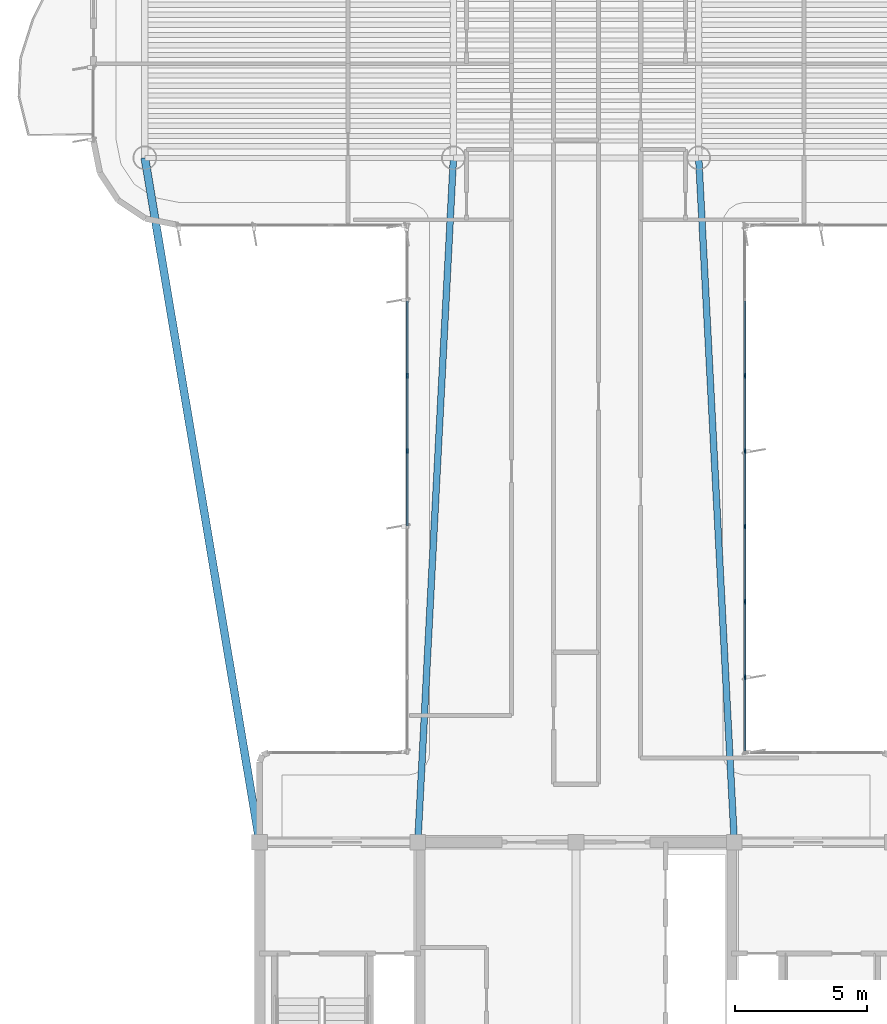
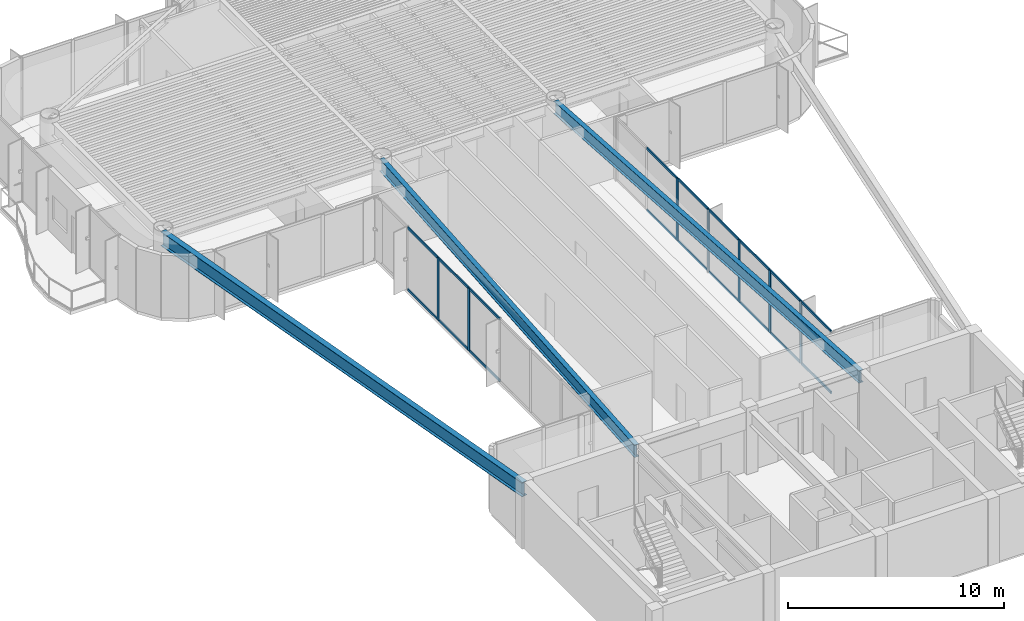
# One storey, part 3 of 16: 25 members, 3 beams, 2 elements without a shape of their own.
"""IFC4 building model written with IfcOpenShell, lengths in metres."""

from ifc_helpers import new_model, si_unit, direction, frame, origin, origin_2d, place, context, subcontext, project, spatial, rectangle, i_section, extrude, source, transform, mapped, material, layer, layer_set, material_profile, profile_set, type_object, element, aggregate, save


model = new_model("IFC4")

# Units and contexts
model_context = context("Model", 3, precision=1e-05, world=origin(), true_north=direction((0.0, 1.0)))
body_context = subcontext(model_context, "Body", "Model", "MODEL_VIEW")
ifc_project = project(units=[si_unit("LENGTHUNIT", "METRE"), si_unit("AREAUNIT", "SQUARE_METRE"), si_unit("VOLUMEUNIT", "CUBIC_METRE"), si_unit("PLANEANGLEUNIT", "RADIAN"), si_unit("MASSUNIT", "GRAM", prefix="KILO")], contexts=[model_context])

# Site, building, storey
site_placement = place(None, origin())
site = spatial("IfcSite", under=ifc_project, at=site_placement, CompositionType="ELEMENT")
building_placement = place(site_placement, origin())
building = spatial("IfcBuilding", under=site, at=building_placement, Name="Brelvock Crest Care Tower", CompositionType="ELEMENT")
storey_placement = place(building_placement, frame((0.0, 0.0, 234.360107421875)))
storey = spatial("IfcBuildingStorey", under=building, at=storey_placement, Name="L59", CompositionType="ELEMENT", Elevation=234.360107421875)

# Beams
ifc_material_1 = material(Name="Steel Grade 350", Category="steel")
ifc_material_profile_1 = material_profile(ifc_material_1, i_section(OverallWidth=0.25, OverallDepth=0.699951171875, WebThickness=0.011962890625, FlangeThickness=0.02001953125, at=origin_2d()), Name="700WB150")
ifc_profile_set_1 = profile_set([ifc_material_profile_1], Name="Steel Grade 350")
beam_type_1 = type_object("IfcBeamType", Name="BM-G4", PredefinedType="BEAM", material=ifc_profile_set_1)
shared_shape_1 = source(origin(), body_context, "Body", "SweptSolid", [
    extrude(i_section(OverallWidth=0.25, OverallDepth=0.699951171875, WebThickness=0.011962890625, FlangeThickness=0.02001953125, at=origin_2d()), origin(), (0.0, 0.0, 1.0), 25.985107421875),
])
for number, where, z_axis, x_axis, name in (
    (1, (30.0, 18.0, 3.179931640625), (0.051956711656, 0.998649337913, 0.0), (-0.998649337913, 0.051956711656, 0.0), "BM-THRW-L59"),
    (2, (42.0, 18.0, 3.179931640625), (-0.051956711656, 0.998649337913, 0.0), (-0.998649337913, -0.051956711656, 0.0), "BM-THRE-L59"),
):
    element("IfcBeam", number, at=place(storey_placement, frame(where, z_axis=z_axis, x_axis=x_axis)), inside=storey, type_object=beam_type_1, Name=name, PredefinedType="BEAM", context=body_context, shape_type="MappedRepresentation", body=[
        mapped(shared_shape_1, transform((0.0, 0.0, 0.0), x_axis=(1.0, 0.0, 0.0), y_axis=(0.0, 1.0, 0.0), z_axis=(0.0, 0.0, 1.0), scale=1.0)),
    ])
ifc_material_profile_2 = material_profile(ifc_material_1, i_section(OverallWidth=0.300048828125, OverallDepth=0.800048828125, WebThickness=0.013916015625, FlangeThickness=0.02197265625, at=origin_2d()), Name="800WB192")
ifc_profile_set_2 = profile_set([ifc_material_profile_2], Name="Steel Grade 350")
beam_type_2 = type_object("IfcBeamType", Name="BM-G5", PredefinedType="BEAM", material=ifc_profile_set_2)
shared_shape_2 = source(origin(), body_context, "Body", "SweptSolid", [
    extrude(i_section(OverallWidth=0.300048828125, OverallDepth=0.800048828125, WebThickness=0.013916015625, FlangeThickness=0.02197265625, at=origin_2d()), origin(), (0.0, 0.0, 1.0), 26.31201171875),
])
beam_placement = place(storey_placement, frame((24.0, 18.0, 3.1298828125), z_axis=(-0.165327282709, 0.986238758918, 0.0), x_axis=(-0.986238758918, -0.165327282709, 0.0)))
element("IfcBeam", 3, at=beam_placement, inside=storey, type_object=beam_type_2, Name="BM-THRO-W-L59", PredefinedType="BEAM", context=body_context, shape_type="MappedRepresentation", body=[
    mapped(shared_shape_2, transform((0.0, 0.0, 0.0), x_axis=(1.0, 0.0, 0.0), y_axis=(0.0, 1.0, 0.0), z_axis=(0.0, 0.0, 1.0), scale=1.0)),
])

# Curtain wall, members
ifc_material_2 = material(Name="Dark Glass Double Glazed Low-E", Category="glass")
ifc_layer = layer(ifc_material_2, 0.239990234375, Name="CWS-5")
ifc_layer_set = layer_set([ifc_layer], Name="Dark Glass Double Glazed Low-E")
curtain_wall_type = type_object("IfcCurtainWallType", Name="CWS-5", PredefinedType="NOTDEFINED", material=ifc_layer_set)
curtain_wall_1_placement = place(storey_placement, origin())
curtain_wall_1 = element("IfcCurtainWall", 4, at=curtain_wall_1_placement, inside=storey, type_object=curtain_wall_type, Name="L59 Curtain Wall E11", PredefinedType="NOTDEFINED")
ifc_material_3 = material(Name="Aluminium 6063-T6", Category="aluminium")
ifc_material_profile_3 = material_profile(ifc_material_3, rectangle(XDim=0.06005859375, YDim=0.179931640625, at=origin_2d()), Name="ALU60x180")
ifc_profile_set_3 = profile_set([ifc_material_profile_3], Name="Aluminium 6063-T6")
member_type_1 = type_object("IfcMemberType", Name="CWM-2", PredefinedType="MULLION", material=ifc_profile_set_3)
shared_shape_3 = source(origin(), body_context, "Body", "SweptSolid", [
    extrude(rectangle(XDim=0.06005859375, YDim=0.179931640625, at=origin_2d()), origin(), (0.0, 0.0, 1.0), 3.52978515625),
])
member_1_placement = place(storey_placement, frame((29.60009765625, 32.82861328125, 0.0), z_axis=(0.0, 0.0, 1.0), x_axis=(-1.0, 0.0, 0.0)))
member_1 = element("IfcMember", 5, at=member_1_placement, type_object=member_type_1, Name="CW-5 mullion 5", PredefinedType="MULLION", context=body_context, shape_type="MappedRepresentation", body=[
    mapped(shared_shape_3, transform((0.0, 0.0, 0.0), x_axis=(1.0, 0.0, 0.0), y_axis=(0.0, 1.0, 0.0), z_axis=(0.0, 0.0, 1.0), scale=1.0)),
])
member_2_placement = place(storey_placement, frame((29.60009765625, 35.685791015625, 0.0), z_axis=(0.0, 0.0, 1.0), x_axis=(-1.0, 0.0, 0.0)))
member_2 = element("IfcMember", 6, at=member_2_placement, type_object=member_type_1, Name="CW-5 mullion 6", PredefinedType="MULLION", context=body_context, shape_type="MappedRepresentation", body=[
    mapped(shared_shape_3, transform((0.0, 0.0, 0.0), x_axis=(1.0, 0.0, 0.0), y_axis=(0.0, 1.0, 0.0), z_axis=(0.0, 0.0, 1.0), scale=1.0)),
])

curtain_wall_2_placement = place(storey_placement, origin())
curtain_wall_2 = element("IfcCurtainWall", 7, at=curtain_wall_2_placement, inside=storey, type_object=curtain_wall_type, Name="L59 Curtain Wall E45", PredefinedType="NOTDEFINED")
member_3_placement = place(storey_placement, frame((42.39990234375, 35.685791015625, 0.0), z_axis=(0.0, 0.0, 1.0), x_axis=(1.0, 0.0, 0.0)))
member_3 = element("IfcMember", 8, at=member_3_placement, type_object=member_type_1, Name="CW-5 mullion 3", PredefinedType="MULLION", context=body_context, shape_type="MappedRepresentation", body=[
    mapped(shared_shape_3, transform((0.0, 0.0, 0.0), x_axis=(1.0, 0.0, 0.0), y_axis=(0.0, 1.0, 0.0), z_axis=(0.0, 0.0, 1.0), scale=1.0)),
])
member_4_placement = place(storey_placement, frame((42.39990234375, 32.82861328125, 0.0), z_axis=(0.0, 0.0, 1.0), x_axis=(1.0, 0.0, 0.0)))
member_4 = element("IfcMember", 9, at=member_4_placement, type_object=member_type_1, Name="CW-5 mullion 4", PredefinedType="MULLION", context=body_context, shape_type="MappedRepresentation", body=[
    mapped(shared_shape_3, transform((0.0, 0.0, 0.0), x_axis=(1.0, 0.0, 0.0), y_axis=(0.0, 1.0, 0.0), z_axis=(0.0, 0.0, 1.0), scale=1.0)),
])
member_5_placement = place(storey_placement, frame((42.39990234375, 29.971435546875, 0.0), z_axis=(0.0, 0.0, 1.0), x_axis=(1.0, 0.0, 0.0)))
member_5 = element("IfcMember", 10, at=member_5_placement, type_object=member_type_1, Name="CW-5 mullion 5", PredefinedType="MULLION", context=body_context, shape_type="MappedRepresentation", body=[
    mapped(shared_shape_3, transform((0.0, 0.0, 0.0), x_axis=(1.0, 0.0, 0.0), y_axis=(0.0, 1.0, 0.0), z_axis=(0.0, 0.0, 1.0), scale=1.0)),
])
member_6_placement = place(storey_placement, frame((42.39990234375, 27.1142578125, 0.0), z_axis=(0.0, 0.0, 1.0), x_axis=(1.0, 0.0, 0.0)))
member_6 = element("IfcMember", 11, at=member_6_placement, type_object=member_type_1, Name="CW-5 mullion 6", PredefinedType="MULLION", context=body_context, shape_type="MappedRepresentation", body=[
    mapped(shared_shape_3, transform((0.0, 0.0, 0.0), x_axis=(1.0, 0.0, 0.0), y_axis=(0.0, 1.0, 0.0), z_axis=(0.0, 0.0, 1.0), scale=1.0)),
])
member_7_placement = place(storey_placement, frame((42.39990234375, 24.257080078125, 0.0), z_axis=(0.0, 0.0, 1.0), x_axis=(1.0, 0.0, 0.0)))
member_7 = element("IfcMember", 12, at=member_7_placement, type_object=member_type_1, Name="CW-5 mullion 7", PredefinedType="MULLION", context=body_context, shape_type="MappedRepresentation", body=[
    mapped(shared_shape_3, transform((0.0, 0.0, 0.0), x_axis=(1.0, 0.0, 0.0), y_axis=(0.0, 1.0, 0.0), z_axis=(0.0, 0.0, 1.0), scale=1.0)),
])
ifc_material_profile_4 = material_profile(ifc_material_3, rectangle(XDim=0.06005859375, YDim=0.139892578125, at=origin_2d()), Name="ALU60x140")
ifc_profile_set_4 = profile_set([ifc_material_profile_4], Name="Aluminium 6063-T6")
member_type_2 = type_object("IfcMemberType", Name="CWT-2", PredefinedType="USERDEFINED", material=ifc_profile_set_4)
shared_shape_4 = source(origin(), body_context, "Body", "SweptSolid", [
    extrude(rectangle(XDim=0.06005859375, YDim=0.139892578125, at=origin_2d()), origin(), (0.0, 0.0, 1.0), 2.76708984375),
])
member_8_placement = place(storey_placement, frame((42.39990234375, 24.22705078125, 0.02978515625), z_axis=(0.0, -1.0, 0.0), x_axis=(1.0, 0.0, 0.0)))
member_8 = element("IfcMember", 13, at=member_8_placement, type_object=member_type_2, Name="CW-5 transom 7.1", ObjectType="TRANSOM", PredefinedType="USERDEFINED", context=body_context, shape_type="MappedRepresentation", body=[
    mapped(shared_shape_4, transform((0.0, 0.0, 0.0), x_axis=(1.0, 0.0, 0.0), y_axis=(0.0, 1.0, 0.0), z_axis=(0.0, 0.0, 1.0), scale=1.0)),
])
member_9_placement = place(storey_placement, frame((42.39990234375, 24.22705078125, 3.5), z_axis=(0.0, -1.0, 0.0), x_axis=(1.0, 0.0, 0.0)))
member_9 = element("IfcMember", 14, at=member_9_placement, type_object=member_type_2, Name="CW-5 transom 7.2", ObjectType="TRANSOM", PredefinedType="USERDEFINED", context=body_context, shape_type="MappedRepresentation", body=[
    mapped(shared_shape_4, transform((0.0, 0.0, 0.0), x_axis=(1.0, 0.0, 0.0), y_axis=(0.0, 1.0, 0.0), z_axis=(0.0, 0.0, 1.0), scale=1.0)),
])

# Member
shared_shape_5 = source(origin(), body_context, "Body", "SweptSolid", [
    extrude(rectangle(XDim=0.06005859375, YDim=0.139892578125, at=origin_2d()), origin(), (0.0, 0.0, 1.0), 2.797119140625),
])
member_10_placement = place(storey_placement, frame((29.60009765625, 30.00146484375, 0.02978515625), z_axis=(0.0, 1.0, 0.0), x_axis=(-1.0, 0.0, 0.0)))
member_10 = element("IfcMember", 15, at=member_10_placement, type_object=member_type_2, Name="CW-5 transom 4.1", ObjectType="TRANSOM", PredefinedType="USERDEFINED", context=body_context, shape_type="MappedRepresentation", body=[
    mapped(shared_shape_5, transform((0.0, 0.0, 0.0), x_axis=(1.0, 0.0, 0.0), y_axis=(0.0, 1.0, 0.0), z_axis=(0.0, 0.0, 1.0), scale=1.0)),
])

member_11_placement = place(storey_placement, frame((29.60009765625, 30.00146484375, 3.5), z_axis=(0.0, 1.0, 0.0), x_axis=(-1.0, 0.0, 0.0)))
member_11 = element("IfcMember", 16, at=member_11_placement, type_object=member_type_2, Name="CW-5 transom 4.2", ObjectType="TRANSOM", PredefinedType="USERDEFINED", context=body_context, shape_type="MappedRepresentation", body=[
    mapped(shared_shape_5, transform((0.0, 0.0, 0.0), x_axis=(1.0, 0.0, 0.0), y_axis=(0.0, 1.0, 0.0), z_axis=(0.0, 0.0, 1.0), scale=1.0)),
])

member_12_placement = place(storey_placement, frame((29.60009765625, 32.858642578125, 0.02978515625), z_axis=(0.0, 1.0, 0.0), x_axis=(-1.0, 0.0, 0.0)))
member_12 = element("IfcMember", 17, at=member_12_placement, type_object=member_type_2, Name="CW-5 transom 5.1", ObjectType="TRANSOM", PredefinedType="USERDEFINED", context=body_context, shape_type="MappedRepresentation", body=[
    mapped(shared_shape_5, transform((0.0, 0.0, 0.0), x_axis=(1.0, 0.0, 0.0), y_axis=(0.0, 1.0, 0.0), z_axis=(0.0, 0.0, 1.0), scale=1.0)),
])

member_13_placement = place(storey_placement, frame((29.60009765625, 32.858642578125, 3.5), z_axis=(0.0, 1.0, 0.0), x_axis=(-1.0, 0.0, 0.0)))
member_13 = element("IfcMember", 18, at=member_13_placement, type_object=member_type_2, Name="CW-5 transom 5.2", ObjectType="TRANSOM", PredefinedType="USERDEFINED", context=body_context, shape_type="MappedRepresentation", body=[
    mapped(shared_shape_5, transform((0.0, 0.0, 0.0), x_axis=(1.0, 0.0, 0.0), y_axis=(0.0, 1.0, 0.0), z_axis=(0.0, 0.0, 1.0), scale=1.0)),
])

member_14_placement = place(storey_placement, frame((29.60009765625, 35.7158203125, 0.02978515625), z_axis=(0.0, 1.0, 0.0), x_axis=(-1.0, 0.0, 0.0)))
member_14 = element("IfcMember", 19, at=member_14_placement, type_object=member_type_2, Name="CW-5 transom 6.1", ObjectType="TRANSOM", PredefinedType="USERDEFINED", context=body_context, shape_type="MappedRepresentation", body=[
    mapped(shared_shape_5, transform((0.0, 0.0, 0.0), x_axis=(1.0, 0.0, 0.0), y_axis=(0.0, 1.0, 0.0), z_axis=(0.0, 0.0, 1.0), scale=1.0)),
])

member_15_placement = place(storey_placement, frame((29.60009765625, 35.7158203125, 3.5), z_axis=(0.0, 1.0, 0.0), x_axis=(-1.0, 0.0, 0.0)))
member_15 = element("IfcMember", 20, at=member_15_placement, type_object=member_type_2, Name="CW-5 transom 6.2", ObjectType="TRANSOM", PredefinedType="USERDEFINED", context=body_context, shape_type="MappedRepresentation", body=[
    mapped(shared_shape_5, transform((0.0, 0.0, 0.0), x_axis=(1.0, 0.0, 0.0), y_axis=(0.0, 1.0, 0.0), z_axis=(0.0, 0.0, 1.0), scale=1.0)),
])

aggregate(curtain_wall_1, [member_1, member_2, member_10, member_11, member_12, member_13, member_14, member_15])

member_16_placement = place(storey_placement, frame((42.39990234375, 38.512939453125, 0.02978515625), z_axis=(0.0, -1.0, 0.0), x_axis=(1.0, 0.0, 0.0)))
member_16 = element("IfcMember", 21, at=member_16_placement, type_object=member_type_2, Name="CW-5 transom 2.1", ObjectType="TRANSOM", PredefinedType="USERDEFINED", context=body_context, shape_type="MappedRepresentation", body=[
    mapped(shared_shape_5, transform((0.0, 0.0, 0.0), x_axis=(1.0, 0.0, 0.0), y_axis=(0.0, 1.0, 0.0), z_axis=(0.0, 0.0, 1.0), scale=1.0)),
])

member_17_placement = place(storey_placement, frame((42.39990234375, 38.512939453125, 3.5), z_axis=(0.0, -1.0, 0.0), x_axis=(1.0, 0.0, 0.0)))
member_17 = element("IfcMember", 22, at=member_17_placement, type_object=member_type_2, Name="CW-5 transom 2.2", ObjectType="TRANSOM", PredefinedType="USERDEFINED", context=body_context, shape_type="MappedRepresentation", body=[
    mapped(shared_shape_5, transform((0.0, 0.0, 0.0), x_axis=(1.0, 0.0, 0.0), y_axis=(0.0, 1.0, 0.0), z_axis=(0.0, 0.0, 1.0), scale=1.0)),
])

member_18_placement = place(storey_placement, frame((42.39990234375, 35.65576171875, 0.02978515625), z_axis=(0.0, -1.0, 0.0), x_axis=(1.0, 0.0, 0.0)))
member_18 = element("IfcMember", 23, at=member_18_placement, type_object=member_type_2, Name="CW-5 transom 3.1", ObjectType="TRANSOM", PredefinedType="USERDEFINED", context=body_context, shape_type="MappedRepresentation", body=[
    mapped(shared_shape_5, transform((0.0, 0.0, 0.0), x_axis=(1.0, 0.0, 0.0), y_axis=(0.0, 1.0, 0.0), z_axis=(0.0, 0.0, 1.0), scale=1.0)),
])

member_19_placement = place(storey_placement, frame((42.39990234375, 35.65576171875, 3.5), z_axis=(0.0, -1.0, 0.0), x_axis=(1.0, 0.0, 0.0)))
member_19 = element("IfcMember", 24, at=member_19_placement, type_object=member_type_2, Name="CW-5 transom 3.2", ObjectType="TRANSOM", PredefinedType="USERDEFINED", context=body_context, shape_type="MappedRepresentation", body=[
    mapped(shared_shape_5, transform((0.0, 0.0, 0.0), x_axis=(1.0, 0.0, 0.0), y_axis=(0.0, 1.0, 0.0), z_axis=(0.0, 0.0, 1.0), scale=1.0)),
])

member_20_placement = place(storey_placement, frame((42.39990234375, 32.798583984375, 0.02978515625), z_axis=(0.0, -1.0, 0.0), x_axis=(1.0, 0.0, 0.0)))
member_20 = element("IfcMember", 25, at=member_20_placement, type_object=member_type_2, Name="CW-5 transom 4.1", ObjectType="TRANSOM", PredefinedType="USERDEFINED", context=body_context, shape_type="MappedRepresentation", body=[
    mapped(shared_shape_5, transform((0.0, 0.0, 0.0), x_axis=(1.0, 0.0, 0.0), y_axis=(0.0, 1.0, 0.0), z_axis=(0.0, 0.0, 1.0), scale=1.0)),
])

member_21_placement = place(storey_placement, frame((42.39990234375, 32.798583984375, 3.5), z_axis=(0.0, -1.0, 0.0), x_axis=(1.0, 0.0, 0.0)))
member_21 = element("IfcMember", 26, at=member_21_placement, type_object=member_type_2, Name="CW-5 transom 4.2", ObjectType="TRANSOM", PredefinedType="USERDEFINED", context=body_context, shape_type="MappedRepresentation", body=[
    mapped(shared_shape_5, transform((0.0, 0.0, 0.0), x_axis=(1.0, 0.0, 0.0), y_axis=(0.0, 1.0, 0.0), z_axis=(0.0, 0.0, 1.0), scale=1.0)),
])

member_22_placement = place(storey_placement, frame((42.39990234375, 29.94140625, 0.02978515625), z_axis=(0.0, -1.0, 0.0), x_axis=(1.0, 0.0, 0.0)))
member_22 = element("IfcMember", 27, at=member_22_placement, type_object=member_type_2, Name="CW-5 transom 5.1", ObjectType="TRANSOM", PredefinedType="USERDEFINED", context=body_context, shape_type="MappedRepresentation", body=[
    mapped(shared_shape_5, transform((0.0, 0.0, 0.0), x_axis=(1.0, 0.0, 0.0), y_axis=(0.0, 1.0, 0.0), z_axis=(0.0, 0.0, 1.0), scale=1.0)),
])

member_23_placement = place(storey_placement, frame((42.39990234375, 29.94140625, 3.5), z_axis=(0.0, -1.0, 0.0), x_axis=(1.0, 0.0, 0.0)))
member_23 = element("IfcMember", 28, at=member_23_placement, type_object=member_type_2, Name="CW-5 transom 5.2", ObjectType="TRANSOM", PredefinedType="USERDEFINED", context=body_context, shape_type="MappedRepresentation", body=[
    mapped(shared_shape_5, transform((0.0, 0.0, 0.0), x_axis=(1.0, 0.0, 0.0), y_axis=(0.0, 1.0, 0.0), z_axis=(0.0, 0.0, 1.0), scale=1.0)),
])

member_24_placement = place(storey_placement, frame((42.39990234375, 27.084228515625, 0.02978515625), z_axis=(0.0, -1.0, 0.0), x_axis=(1.0, 0.0, 0.0)))
member_24 = element("IfcMember", 29, at=member_24_placement, type_object=member_type_2, Name="CW-5 transom 6.1", ObjectType="TRANSOM", PredefinedType="USERDEFINED", context=body_context, shape_type="MappedRepresentation", body=[
    mapped(shared_shape_5, transform((0.0, 0.0, 0.0), x_axis=(1.0, 0.0, 0.0), y_axis=(0.0, 1.0, 0.0), z_axis=(0.0, 0.0, 1.0), scale=1.0)),
])

member_25_placement = place(storey_placement, frame((42.39990234375, 27.084228515625, 3.5), z_axis=(0.0, -1.0, 0.0), x_axis=(1.0, 0.0, 0.0)))
member_25 = element("IfcMember", 30, at=member_25_placement, type_object=member_type_2, Name="CW-5 transom 6.2", ObjectType="TRANSOM", PredefinedType="USERDEFINED", context=body_context, shape_type="MappedRepresentation", body=[
    mapped(shared_shape_5, transform((0.0, 0.0, 0.0), x_axis=(1.0, 0.0, 0.0), y_axis=(0.0, 1.0, 0.0), z_axis=(0.0, 0.0, 1.0), scale=1.0)),
])

aggregate(curtain_wall_2, [member_3, member_4, member_5, member_6, member_7, member_16, member_17, member_18, member_19, member_20, member_21, member_22, member_23, member_24, member_25, member_8, member_9])

save(model, "model.ifc")
